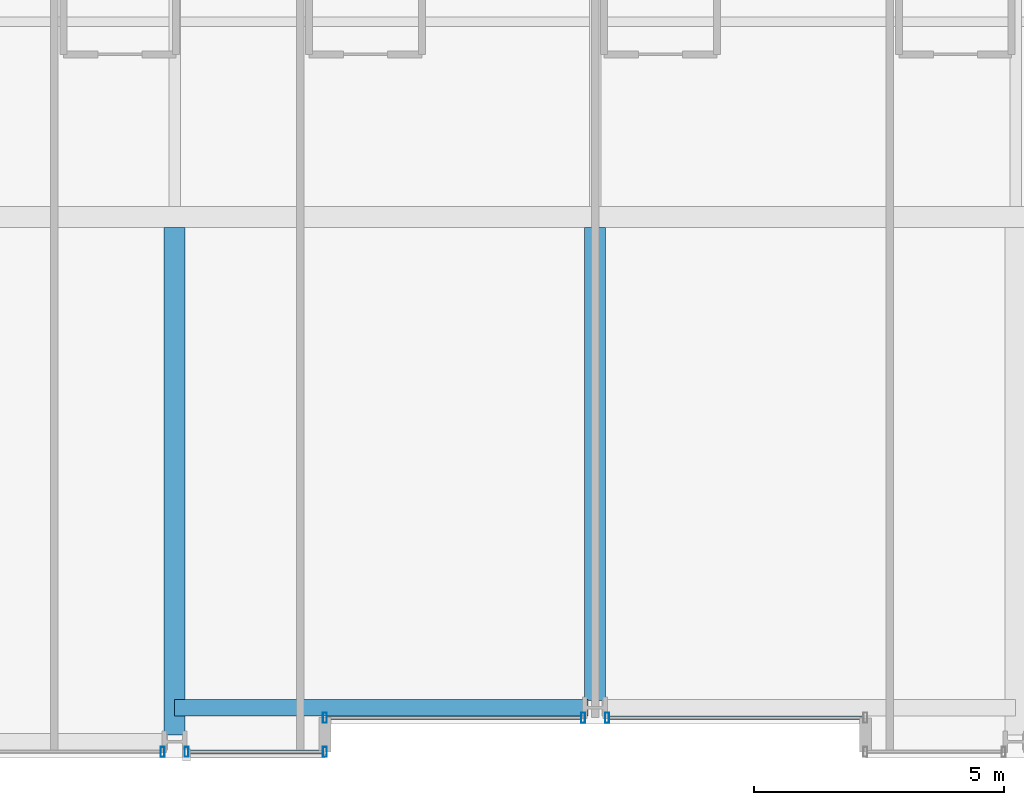
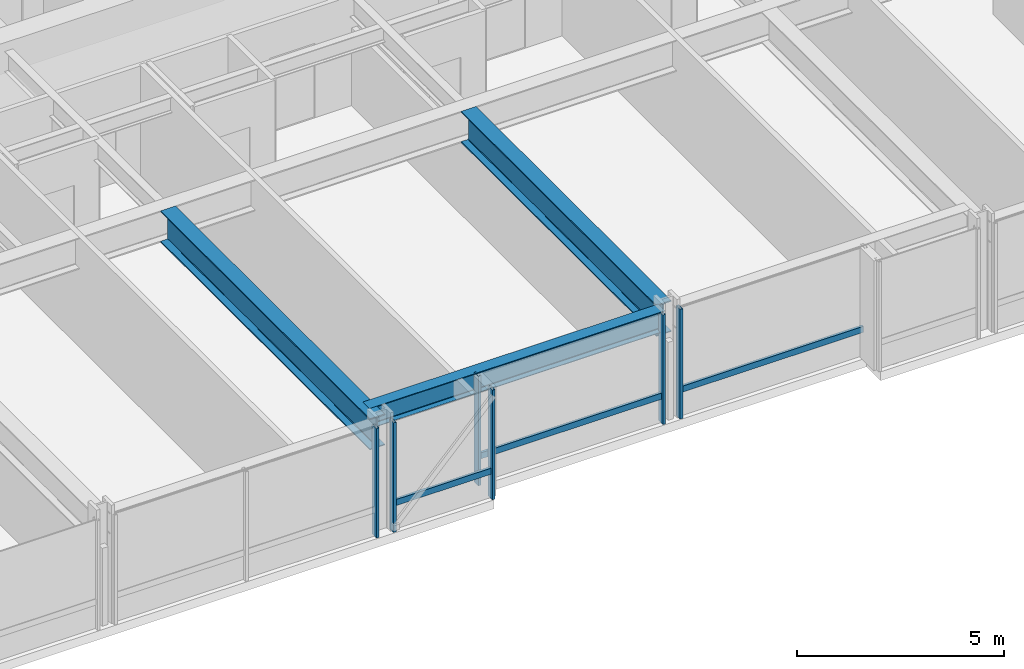
# One storey, part 5 of 42: 9 members, 3 beams, 4 elements without a shape of their own.
"""IFC4 building model written with IfcOpenShell, lengths in metres."""

from ifc_helpers import new_model, si_unit, direction, frame, origin, origin_2d, place, context, subcontext, project, spatial, hollow_rectangle, i_section, extrude, material, layer, layer_set, material_profile, profile_set, type_object, element, aggregate, save


model = new_model("IFC4")

# Units and contexts
model_context = context("Model", 3, precision=1e-05, world=origin(), true_north=direction((0.0, 1.0)))
body_context = subcontext(model_context, "Body", "Model", "MODEL_VIEW")
ifc_project = project(units=[si_unit("LENGTHUNIT", "METRE"), si_unit("AREAUNIT", "SQUARE_METRE"), si_unit("VOLUMEUNIT", "CUBIC_METRE"), si_unit("PLANEANGLEUNIT", "RADIAN"), si_unit("MASSUNIT", "GRAM", prefix="KILO")], contexts=[model_context])

# Site, building, storey
site_placement = place(None, origin())
site = spatial("IfcSite", under=ifc_project, at=site_placement, CompositionType="ELEMENT")
building_placement = place(site_placement, origin())
building = spatial("IfcBuilding", under=site, at=building_placement, Name="Drelvath Grand Hotel", CompositionType="ELEMENT")
storey_placement = place(building_placement, frame((0.0, 0.0, 33.199951171875)))
storey = spatial("IfcBuildingStorey", under=building, at=storey_placement, Name="L06", CompositionType="ELEMENT", Elevation=33.199951171875)

# Curtain wall, member
ifc_material_1 = material(Name="Warm Bronze Anodised Aluminium Frame", Category="aluminium")
ifc_layer = layer(ifc_material_1, 0.199951171875)
ifc_layer_set = layer_set([ifc_layer], Name="Warm Bronze Anodised Aluminium Frame")
curtain_wall_type = type_object("IfcCurtainWallType", Name="Stick Curtain Wall CW-02 Warm Bronze Low-Rise", PredefinedType="NOTDEFINED", material=ifc_layer_set)
curtain_wall_1_placement = place(storey_placement, origin())
curtain_wall_1 = element("IfcCurtainWall", 1, at=curtain_wall_1_placement, inside=storey, type_object=curtain_wall_type, Name="L06 CW-02 Curtain Wall CW02-L06-SM1", PredefinedType="NOTDEFINED")
ifc_material_profile_1 = material_profile(ifc_material_1, hollow_rectangle(XDim=0.074951171875, YDim=0.179931640625, WallThickness=0.0048828125, at=origin_2d()), Name="HSS180X75X5")
ifc_profile_set_1 = profile_set([ifc_material_profile_1], Name="Warm Bronze Anodised Aluminium Frame")
member_type_1 = type_object("IfcMemberType", Name="Curtain Wall Horizontal Transom CW-02 HSS180X75X5", PredefinedType="USERDEFINED", material=ifc_profile_set_1)
member_1_placement = place(storey_placement, frame((-0.281005859375, 0.800048828125, 0.81005859375), z_axis=(-1.0, 0.0, 0.0), x_axis=(0.0, -1.0, 0.0)))
member_1 = element("IfcMember", 2, at=member_1_placement, type_object=member_type_1, Name="CW02-L06-SM1 Sill Transom", ObjectType="TRANSOM", PredefinedType="USERDEFINED", context=body_context, shape_type="SweptSolid", body=[
    extrude(hollow_rectangle(XDim=0.074951171875, YDim=0.179931640625, WallThickness=0.0048828125, at=origin_2d()), origin(), (0.0, 0.0, 1.0), 5.0791015625),
])

curtain_wall_2_placement = place(storey_placement, origin())
curtain_wall_2 = element("IfcCurtainWall", 3, at=curtain_wall_2_placement, inside=storey, type_object=curtain_wall_type, Name="L06 CW-02 Curtain Wall CW02-L06-SM2", PredefinedType="NOTDEFINED")
member_2_placement = place(storey_placement, frame((5.360107421875, 0.800048828125, 0.81005859375), z_axis=(-1.0, 0.0, 0.0), x_axis=(0.0, -1.0, 0.0)))
member_2 = element("IfcMember", 4, at=member_2_placement, type_object=member_type_1, Name="CW02-L06-SM2 Sill Transom", ObjectType="TRANSOM", PredefinedType="USERDEFINED", context=body_context, shape_type="SweptSolid", body=[
    extrude(hollow_rectangle(XDim=0.074951171875, YDim=0.179931640625, WallThickness=0.0048828125, at=origin_2d()), origin(), (0.0, 0.0, 1.0), 5.0791015625),
])

curtain_wall_3_placement = place(storey_placement, origin())
curtain_wall_3 = element("IfcCurtainWall", 5, at=curtain_wall_3_placement, inside=storey, type_object=curtain_wall_type, Name="L06 CW-02 Curtain Wall CW02-L06-SW3", PredefinedType="NOTDEFINED")
member_3_placement = place(storey_placement, frame((-5.43994140625, 0.1201171875, 0.81005859375), z_axis=(-1.0, 0.0, 0.0), x_axis=(0.0, -1.0, 0.0)))
member_3 = element("IfcMember", 6, at=member_3_placement, type_object=member_type_1, Name="CW02-L06-SW3 Sill Transom", ObjectType="TRANSOM", PredefinedType="USERDEFINED", context=body_context, shape_type="SweptSolid", body=[
    extrude(hollow_rectangle(XDim=0.074951171875, YDim=0.179931640625, WallThickness=0.0048828125, at=origin_2d()), origin(), (0.0, 0.0, 1.0), 2.67919921875),
])

# Member
ifc_material_profile_2 = material_profile(ifc_material_1, hollow_rectangle(XDim=0.080078125, YDim=0.199951171875, WallThickness=0.0048828125, at=origin_2d()), Name="HSS200X80X5")
ifc_profile_set_2 = profile_set([ifc_material_profile_2], Name="Warm Bronze Anodised Aluminium Frame")
member_type_2 = type_object("IfcMemberType", Name="Curtain Wall Vertical Mullion CW-02 HSS200X80X5", PredefinedType="MULLION", material=ifc_profile_set_2)
member_4_placement = place(storey_placement, frame((-0.240966796875, 0.800048828125, 0.0), z_axis=(0.0, 0.0, 1.0), x_axis=(1.0, 0.0, 0.0)))
member_4 = element("IfcMember", 7, at=member_4_placement, type_object=member_type_2, Name="CW02-L06-SM1 Mullion 1", PredefinedType="MULLION", context=body_context, shape_type="SweptSolid", body=[
    extrude(hollow_rectangle(XDim=0.080078125, YDim=0.199951171875, WallThickness=0.0048828125, at=origin_2d()), origin(), (0.0, 0.0, 1.0), 3.239990234375),
])

member_5_placement = place(storey_placement, frame((-5.39990234375, 0.800048828125, 0.0), z_axis=(0.0, 0.0, 1.0), x_axis=(1.0, 0.0, 0.0)))
member_5 = element("IfcMember", 8, at=member_5_placement, type_object=member_type_2, Name="CW02-L06-SM1 Mullion 2", PredefinedType="MULLION", context=body_context, shape_type="SweptSolid", body=[
    extrude(hollow_rectangle(XDim=0.080078125, YDim=0.199951171875, WallThickness=0.0048828125, at=origin_2d()), origin(), (0.0, 0.0, 1.0), 3.239990234375),
])

aggregate(curtain_wall_1, [member_4, member_5, member_1])

member_6_placement = place(storey_placement, frame((0.240966796875, 0.800048828125, 0.0), z_axis=(0.0, 0.0, 1.0), x_axis=(1.0, 0.0, 0.0)))
member_6 = element("IfcMember", 9, at=member_6_placement, type_object=member_type_2, Name="CW02-L06-SM2 Mullion 2", PredefinedType="MULLION", context=body_context, shape_type="SweptSolid", body=[
    extrude(hollow_rectangle(XDim=0.080078125, YDim=0.199951171875, WallThickness=0.0048828125, at=origin_2d()), origin(), (0.0, 0.0, 1.0), 3.239990234375),
])

aggregate(curtain_wall_2, [member_6, member_2])

# Curtain wall, member
curtain_wall_4_placement = place(storey_placement, origin())
curtain_wall_4 = element("IfcCurtainWall", 10, at=curtain_wall_4_placement, inside=storey, type_object=curtain_wall_type, Name="L06 CW-02 Curtain Wall CW02-L06-SW2", PredefinedType="NOTDEFINED")
member_7_placement = place(storey_placement, frame((-8.640869140625, 0.1201171875, 0.0), z_axis=(0.0, 0.0, 1.0), x_axis=(1.0, 0.0, 0.0)))
member_7 = element("IfcMember", 11, at=member_7_placement, type_object=member_type_2, Name="CW02-L06-SW2 Mullion 1", PredefinedType="MULLION", context=body_context, shape_type="SweptSolid", body=[
    extrude(hollow_rectangle(XDim=0.080078125, YDim=0.199951171875, WallThickness=0.0048828125, at=origin_2d()), origin(), (0.0, 0.0, 1.0), 3.239990234375),
])
aggregate(curtain_wall_4, [member_7])

# Member
member_8_placement = place(storey_placement, frame((-5.39990234375, 0.1201171875, 0.0), z_axis=(0.0, 0.0, 1.0), x_axis=(1.0, 0.0, 0.0)))
member_8 = element("IfcMember", 12, at=member_8_placement, type_object=member_type_2, Name="CW02-L06-SW3 Mullion 1", PredefinedType="MULLION", context=body_context, shape_type="SweptSolid", body=[
    extrude(hollow_rectangle(XDim=0.080078125, YDim=0.199951171875, WallThickness=0.0048828125, at=origin_2d()), origin(), (0.0, 0.0, 1.0), 3.239990234375),
])

member_9_placement = place(storey_placement, frame((-8.1591796875, 0.1201171875, 0.0), z_axis=(0.0, 0.0, 1.0), x_axis=(1.0, 0.0, 0.0)))
member_9 = element("IfcMember", 13, at=member_9_placement, type_object=member_type_2, Name="CW02-L06-SW3 Mullion 2", PredefinedType="MULLION", context=body_context, shape_type="SweptSolid", body=[
    extrude(hollow_rectangle(XDim=0.080078125, YDim=0.199951171875, WallThickness=0.0048828125, at=origin_2d()), origin(), (0.0, 0.0, 1.0), 3.239990234375),
])

aggregate(curtain_wall_3, [member_8, member_9, member_3])

# Beams
ifc_material_2 = material(Name="Steel ASTM A992 Gr 50", Category="steel")
ifc_material_profile_3 = material_profile(ifc_material_2, i_section(OverallWidth=0.323974609375, OverallDepth=0.611083984375, WebThickness=0.0126953125, FlangeThickness=0.01904296875, FilletRadius=0.02197265625, at=origin_2d()), Name="W24X104")
ifc_profile_set_3 = profile_set([ifc_material_profile_3], Name="Steel ASTM A992 Gr 50")
beam_type_1 = type_object("IfcBeamType", Name="Perimeter Spandrel Beam W24X104", PredefinedType="SPANDREL", material=ifc_profile_set_3)
beam_1_placement = place(storey_placement, frame((-8.39990234375, 1.0, 2.9345703125), z_axis=(1.0, 0.0, 0.0), x_axis=(0.0, 1.0, 0.0)))
element("IfcBeam", 14, at=beam_1_placement, inside=storey, type_object=beam_type_1, Name="L06 Spandrel South Mid W", PredefinedType="SPANDREL", context=body_context, shape_type="SweptSolid", body=[
    extrude(i_section(OverallWidth=0.323974609375, OverallDepth=0.611083984375, WebThickness=0.0126953125, FlangeThickness=0.01904296875, FilletRadius=0.02197265625, at=origin_2d()), origin(), (0.0, 0.0, 1.0), 8.260009765625),
])
ifc_material_profile_4 = material_profile(ifc_material_2, i_section(OverallWidth=0.418212890625, OverallDepth=0.926513671875, WebThickness=0.019287109375, FlangeThickness=0.031982421875, FilletRadius=0.028076171875, at=origin_2d()), Name="W36X231")
ifc_profile_set_4 = profile_set([ifc_material_profile_4], Name="Steel ASTM A992 Gr 50")
beam_type_2 = type_object("IfcBeamType", Name="Primary Floor Girder W36X231", PredefinedType="BEAM", material=ifc_profile_set_4)
beam_2_placement = place(storey_placement, frame((-8.39990234375, 0.4599609375, 2.77685546875), z_axis=(0.0, 1.0, 0.0), x_axis=(-1.0, 0.0, 0.0)))
element("IfcBeam", 15, at=beam_2_placement, inside=storey, type_object=beam_type_2, Name="L06 South Wing Girder 4", PredefinedType="BEAM", context=body_context, shape_type="SweptSolid", body=[
    extrude(i_section(OverallWidth=0.418212890625, OverallDepth=0.926513671875, WebThickness=0.019287109375, FlangeThickness=0.031982421875, FilletRadius=0.028076171875, at=origin_2d()), origin(), (0.0, 0.0, 1.0), 10.130859375),
])
beam_3_placement = place(storey_placement, frame((0.0, 1.139892578125, 2.77685546875), z_axis=(0.0, 1.0, 0.0), x_axis=(-1.0, 0.0, 0.0)))
element("IfcBeam", 16, at=beam_3_placement, inside=storey, type_object=beam_type_2, Name="L06 South Wing Girder 5", PredefinedType="BEAM", context=body_context, shape_type="SweptSolid", body=[
    extrude(i_section(OverallWidth=0.418212890625, OverallDepth=0.926513671875, WebThickness=0.019287109375, FlangeThickness=0.031982421875, FilletRadius=0.028076171875, at=origin_2d()), origin(), (0.0, 0.0, 1.0), 9.450927734375),
])

save(model, "model.ifc")
